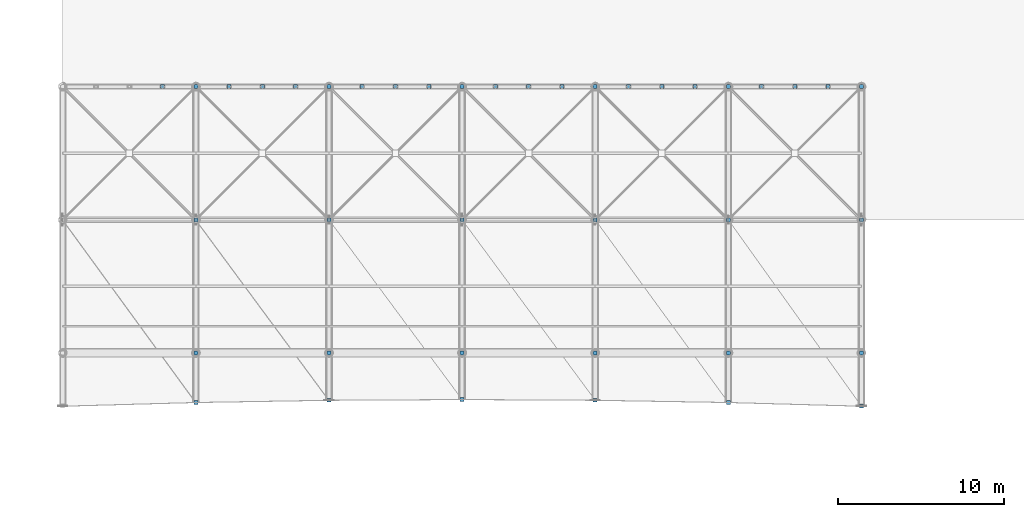
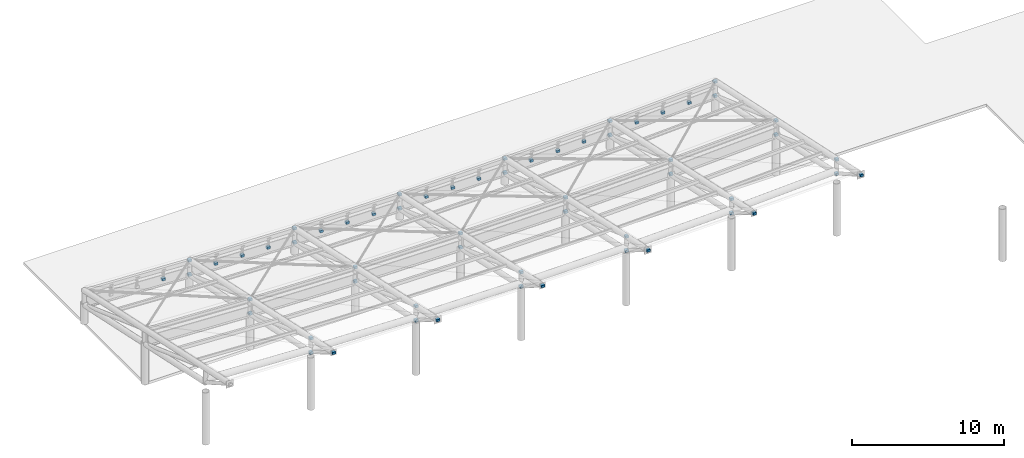
# One storey, part 48 of 54: 58 discrete accessories.
"""IFC4 building model written with IfcOpenShell, lengths in metres."""

from ifc_helpers import new_model, si_unit, direction, frame, origin, origin_2d, place, context, subcontext, project, spatial, rectangle, extrude, material, layer, layer_set, type_object, element, save


model = new_model("IFC4")

# Units and contexts
model_context = context("Model", 3, precision=1e-05, world=origin(), true_north=direction((0.0, 1.0)))
body_context = subcontext(model_context, "Body", "Model", "MODEL_VIEW")
ifc_project = project(units=[si_unit("LENGTHUNIT", "METRE"), si_unit("AREAUNIT", "SQUARE_METRE"), si_unit("VOLUMEUNIT", "CUBIC_METRE"), si_unit("PLANEANGLEUNIT", "RADIAN"), si_unit("MASSUNIT", "GRAM", prefix="KILO")], contexts=[model_context])

# Site, building, storey
site_placement = place(None, origin())
site = spatial("IfcSite", under=ifc_project, at=site_placement, CompositionType="ELEMENT")
building_placement = place(site_placement, origin())
building = spatial("IfcBuilding", under=site, at=building_placement, Name="Haebicheon Civic Stadium", CompositionType="ELEMENT")
storey_placement = place(building_placement, frame((0.0, 0.0, 22.800048828125)))
storey = spatial("IfcBuildingStorey", under=building, at=storey_placement, Name="L06", CompositionType="ELEMENT", Elevation=22.800048828125)

# Discrete accessories
ifc_material = material(Name="White painted steel SM490", Category="steel")
ifc_layer = layer(ifc_material, 0.179931640625, Name="White painted steel SM490")
ifc_layer_set = layer_set([ifc_layer], Name="White painted steel SM490")
discrete_accessory_type = type_object("IfcDiscreteAccessoryType", Name="BRK-END-PLT", PredefinedType="BRACKET", material=ifc_layer_set)
for number, where, z_axis, x_axis, name in (
    (1, (88.0, 160.0, 0.97998046875), (0.0, 0.0, 1.0), (1.0, 0.0, 0.0), "CAN-NORTH truss 2 node bolted end connection plate"),
    (2, (88.0, 160.0, 2.1298828125), (0.0, 0.0, 1.0), (1.0, 0.0, 0.0), "CAN-NORTH truss 2 node bolted end connection plate"),
    (3, (88.0, 152.0, 2.7001953125), (0.0, 0.0, 1.0), (1.0, 0.0, 0.0), "CAN-NORTH truss 2 node bolted end connection plate"),
    (4, (88.0, 152.0, 3.85009765625), (0.0, 0.0, 1.0), (1.0, 0.0, 0.0), "CAN-NORTH truss 2 node bolted end connection plate"),
    (5, (88.0, 144.0, 4.419921875), (0.0, 0.0, 1.0), (1.0, 0.0, 0.0), "CAN-NORTH truss 2 node bolted end connection plate"),
    (6, (88.0, 144.0, 5.56982421875), (0.0, 0.0, 1.0), (1.0, 0.0, 0.0), "CAN-NORTH truss 2 node bolted end connection plate"),
    (7, (88.0, 141.02197265625, 6.2099609375), (0.0, 0.0, 1.0), (1.0, 0.0, 0.0), "CAN-NORTH truss 2 node bolted end connection plate"),
    (8, (96.0, 160.0, 0.759765625), (0.0, 0.0, 1.0), (1.0, 0.0, 0.0), "CAN-NORTH truss 3 node bolted end connection plate"),
    (9, (96.0, 160.0, 1.91015625), (0.0, 0.0, 1.0), (1.0, 0.0, 0.0), "CAN-NORTH truss 3 node bolted end connection plate"),
    (10, (96.0, 152.0, 2.47998046875), (0.0, 0.0, 1.0), (1.0, 0.0, 0.0), "CAN-NORTH truss 3 node bolted end connection plate"),
    (11, (96.0, 152.0, 3.6298828125), (0.0, 0.0, 1.0), (1.0, 0.0, 0.0), "CAN-NORTH truss 3 node bolted end connection plate"),
    (12, (96.0, 144.0, 4.2001953125), (0.0, 0.0, 1.0), (1.0, 0.0, 0.0), "CAN-NORTH truss 3 node bolted end connection plate"),
    (13, (96.0, 144.0, 5.35009765625), (0.0, 0.0, 1.0), (1.0, 0.0, 0.0), "CAN-NORTH truss 3 node bolted end connection plate"),
    (14, (96.0, 141.156005859375, 5.9609375), (0.0, 0.0, 1.0), (1.0, 0.0, 0.0), "CAN-NORTH truss 3 node bolted end connection plate"),
    (15, (104.0, 160.0, 0.68701171875), (0.0, 0.0, 1.0), (1.0, 0.0, 0.0), "CAN-NORTH truss 4 node bolted end connection plate"),
    (16, (104.0, 160.0, 1.8369140625), (0.0, 0.0, 1.0), (1.0, 0.0, 0.0), "CAN-NORTH truss 4 node bolted end connection plate"),
    (17, (104.0, 152.0, 2.4072265625), (0.0, 0.0, 1.0), (1.0, 0.0, 0.0), "CAN-NORTH truss 4 node bolted end connection plate"),
    (18, (104.0, 152.0, 3.55712890625), (0.0, 0.0, 1.0), (1.0, 0.0, 0.0), "CAN-NORTH truss 4 node bolted end connection plate"),
    (19, (104.0, 144.0, 4.126953125), (0.0, 0.0, 1.0), (1.0, 0.0, 0.0), "CAN-NORTH truss 4 node bolted end connection plate"),
    (20, (104.0, 144.0, 5.27685546875), (0.0, 0.0, 1.0), (1.0, 0.0, 0.0), "CAN-NORTH truss 4 node bolted end connection plate"),
    (21, (104.0, 141.199951171875, 5.87890625), (0.0, 0.0, 1.0), (1.0, 0.0, 0.0), "CAN-NORTH truss 4 node bolted end connection plate"),
    (22, (112.0, 160.0, 0.759765625), (0.0, 0.0, 1.0), (1.0, 0.0, 0.0), "CAN-NORTH truss 5 node bolted end connection plate"),
    (23, (112.0, 160.0, 1.91015625), (0.0, 0.0, 1.0), (1.0, 0.0, 0.0), "CAN-NORTH truss 5 node bolted end connection plate"),
    (24, (112.0, 152.0, 2.47998046875), (0.0, 0.0, 1.0), (1.0, 0.0, 0.0), "CAN-NORTH truss 5 node bolted end connection plate"),
    (25, (112.0, 152.0, 3.6298828125), (0.0, 0.0, 1.0), (1.0, 0.0, 0.0), "CAN-NORTH truss 5 node bolted end connection plate"),
    (26, (112.0, 144.0, 4.2001953125), (0.0, 0.0, 1.0), (1.0, 0.0, 0.0), "CAN-NORTH truss 5 node bolted end connection plate"),
    (27, (112.0, 144.0, 5.35009765625), (0.0, 0.0, 1.0), (1.0, 0.0, 0.0), "CAN-NORTH truss 5 node bolted end connection plate"),
    (28, (112.0, 141.156005859375, 5.9609375), (0.0, 0.0, 1.0), (1.0, 0.0, 0.0), "CAN-NORTH truss 5 node bolted end connection plate"),
    (29, (120.0, 160.0, 0.97998046875), (0.0, 0.0, 1.0), (1.0, 0.0, 0.0), "CAN-NORTH truss 6 node bolted end connection plate"),
    (30, (120.0, 160.0, 2.1298828125), (0.0, 0.0, 1.0), (1.0, 0.0, 0.0), "CAN-NORTH truss 6 node bolted end connection plate"),
    (31, (120.0, 152.0, 2.7001953125), (0.0, 0.0, 1.0), (1.0, 0.0, 0.0), "CAN-NORTH truss 6 node bolted end connection plate"),
    (32, (120.0, 152.0, 3.85009765625), (0.0, 0.0, 1.0), (1.0, 0.0, 0.0), "CAN-NORTH truss 6 node bolted end connection plate"),
    (33, (120.0, 144.0, 4.419921875), (0.0, 0.0, 1.0), (1.0, 0.0, 0.0), "CAN-NORTH truss 6 node bolted end connection plate"),
    (34, (120.0, 144.0, 5.56982421875), (0.0, 0.0, 1.0), (1.0, 0.0, 0.0), "CAN-NORTH truss 6 node bolted end connection plate"),
    (35, (120.0, 141.02197265625, 6.2099609375), (0.0, 0.0, 1.0), (1.0, 0.0, 0.0), "CAN-NORTH truss 6 node bolted end connection plate"),
    (36, (128.0, 160.0, 1.34716796875), (0.0, 0.0, 1.0), (1.0, 0.0, 0.0), "CAN-NORTH truss 7 node bolted end connection plate"),
    (37, (128.0, 160.0, 2.4970703125), (0.0, 0.0, 1.0), (1.0, 0.0, 0.0), "CAN-NORTH truss 7 node bolted end connection plate"),
    (38, (128.0, 152.0, 3.06689453125), (0.0, 0.0, 1.0), (1.0, 0.0, 0.0), "CAN-NORTH truss 7 node bolted end connection plate"),
    (39, (128.0, 152.0, 4.216796875), (0.0, 0.0, 1.0), (1.0, 0.0, 0.0), "CAN-NORTH truss 7 node bolted end connection plate"),
    (40, (128.0, 144.0, 4.787109375), (0.0, 0.0, 1.0), (1.0, 0.0, 0.0), "CAN-NORTH truss 7 node bolted end connection plate"),
    (41, (128.0, 144.0, 5.93701171875), (0.0, 0.0, 1.0), (1.0, 0.0, 0.0), "CAN-NORTH truss 7 node bolted end connection plate"),
    (42, (128.0, 140.800048828125, 6.625), (0.0, 0.0, 1.0), (1.0, 0.0, 0.0), "CAN-NORTH truss 7 node bolted end connection plate"),
    (43, (86.0, 160.0, 1.32177734375), (0.0, 0.0, 1.0), (1.0, 0.0, 0.0), "CAN-NORTH hanger base 1.3 bolted end connection plate"),
    (44, (90.0, 160.0, 1.1748046875), (0.0, 0.0, 1.0), (1.0, 0.0, 0.0), "CAN-NORTH hanger base 2.1 bolted end connection plate"),
    (45, (92.0, 160.0, 1.1201171875), (0.0, 0.0, 1.0), (1.0, 0.0, 0.0), "CAN-NORTH hanger base 2.2 bolted end connection plate"),
    (46, (94.0, 160.0, 1.06494140625), (0.0, 0.0, 1.0), (1.0, 0.0, 0.0), "CAN-NORTH hanger base 2.3 bolted end connection plate"),
    (47, (98.0, 160.0, 0.9921875), (0.0, 0.0, 1.0), (1.0, 0.0, 0.0), "CAN-NORTH hanger base 3.1 bolted end connection plate"),
    (48, (100.0, 160.0, 0.97412109375), (0.0, 0.0, 1.0), (1.0, 0.0, 0.0), "CAN-NORTH hanger base 3.2 bolted end connection plate"),
    (49, (102.0, 160.0, 0.955078125), (0.0, 0.0, 1.0), (1.0, 0.0, 0.0), "CAN-NORTH hanger base 3.3 bolted end connection plate"),
    (50, (106.0, 160.0, 0.955078125), (0.0, 0.0, 1.0), (1.0, 0.0, 0.0), "CAN-NORTH hanger base 4.1 bolted end connection plate"),
    (51, (108.0, 160.0, 0.97412109375), (0.0, 0.0, 1.0), (1.0, 0.0, 0.0), "CAN-NORTH hanger base 4.2 bolted end connection plate"),
    (52, (110.0, 160.0, 0.9921875), (0.0, 0.0, 1.0), (1.0, 0.0, 0.0), "CAN-NORTH hanger base 4.3 bolted end connection plate"),
    (53, (114.0, 160.0, 1.06494140625), (0.0, 0.0, 1.0), (1.0, 0.0, 0.0), "CAN-NORTH hanger base 5.1 bolted end connection plate"),
    (54, (116.0, 160.0, 1.1201171875), (0.0, 0.0, 1.0), (1.0, 0.0, 0.0), "CAN-NORTH hanger base 5.2 bolted end connection plate"),
    (55, (118.0, 160.0, 1.1748046875), (0.0, 0.0, 1.0), (1.0, 0.0, 0.0), "CAN-NORTH hanger base 5.3 bolted end connection plate"),
    (56, (122.0, 160.0, 1.32177734375), (0.0, 0.0, 1.0), (1.0, 0.0, 0.0), "CAN-NORTH hanger base 6.1 bolted end connection plate"),
    (57, (124.0, 160.0, 1.4140625), (0.0, 0.0, 1.0), (1.0, 0.0, 0.0), "CAN-NORTH hanger base 6.2 bolted end connection plate"),
    (58, (126.0, 160.0, 1.5048828125), (0.0, 0.0, 1.0), (1.0, 0.0, 0.0), "CAN-NORTH hanger base 6.3 bolted end connection plate"),
):
    element("IfcDiscreteAccessory", number, at=place(storey_placement, frame(where, z_axis=z_axis, x_axis=x_axis)), inside=storey, type_object=discrete_accessory_type, material=ifc_layer_set, Name=name, PredefinedType="BRACKET", context=body_context, shape_type="SweptSolid", body=[
        extrude(rectangle(XDim=0.239990234375, YDim=0.239990234375, at=origin_2d()), origin(), (0.0, 0.0, 1.0), 0.179931640625),
    ])

save(model, "model.ifc")
